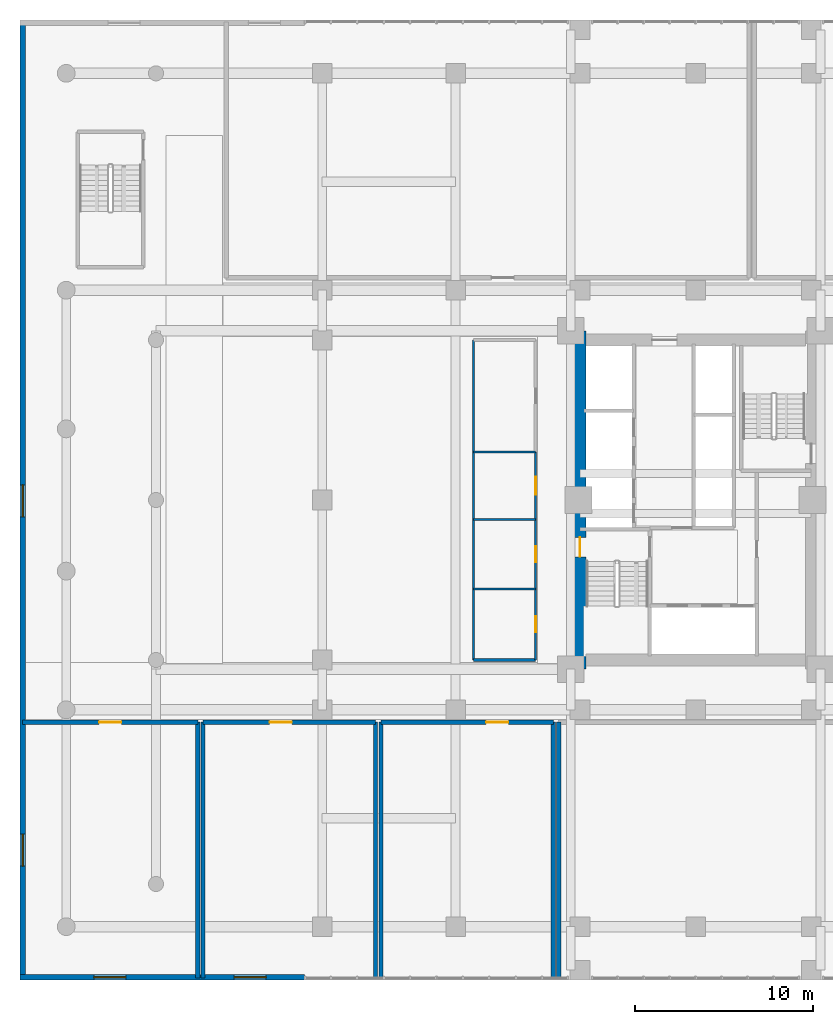
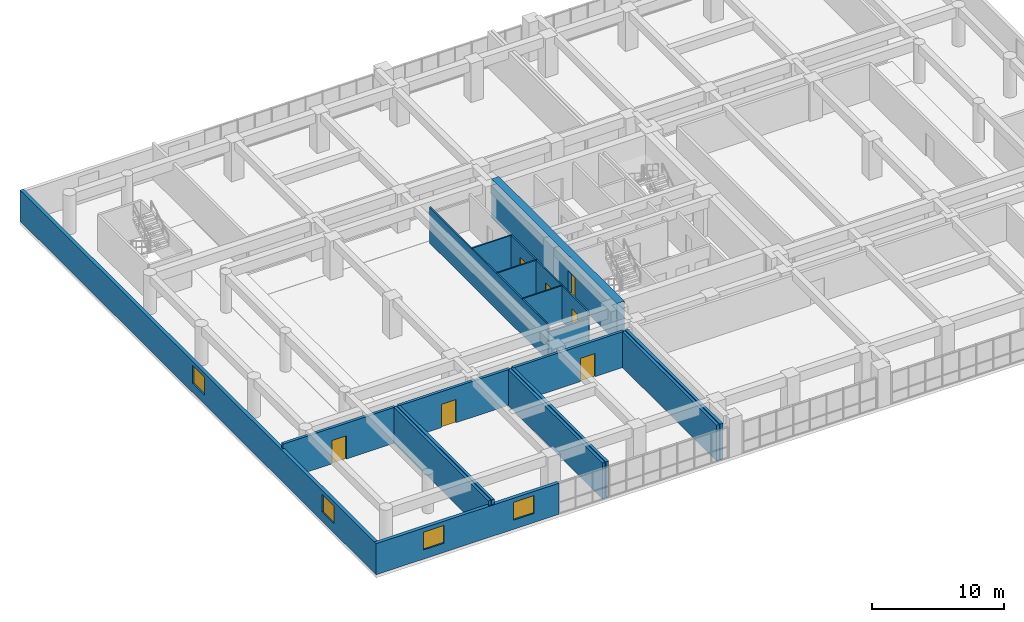
# One storey, part 18 of 30: 20 walls, 7 doors, 4 windows, 11 openings.
"""IFC4 building model written with IfcOpenShell, lengths in metres."""

from ifc_helpers import new_model, si_unit, direction, frame, frame_2d, origin, place, context, subcontext, project, spatial, rectangle, extrude, source, transform, mapped, material, layer, layer_set, type_object, element, fill, save


model = new_model("IFC4")

# Units and contexts
model_context = context("Model", 3, precision=1e-05, world=origin(), true_north=direction((0.0, 1.0)))
body_context = subcontext(model_context, "Body", "Model", "MODEL_VIEW")
ifc_project = project(units=[si_unit("LENGTHUNIT", "METRE"), si_unit("AREAUNIT", "SQUARE_METRE"), si_unit("VOLUMEUNIT", "CUBIC_METRE"), si_unit("PLANEANGLEUNIT", "RADIAN"), si_unit("MASSUNIT", "GRAM", prefix="KILO")], contexts=[model_context])

# Site, building, storey
site_placement = place(None, origin())
site = spatial("IfcSite", under=ifc_project, at=site_placement, CompositionType="ELEMENT")
building_placement = place(site_placement, origin())
building = spatial("IfcBuilding", under=site, at=building_placement, Name="Saelheon Loggia Tower", CompositionType="ELEMENT")
storey_placement = place(building_placement, frame((0.0, 0.0, 7.800048828125)))
storey = spatial("IfcBuildingStorey", under=building, at=storey_placement, Name="L02", CompositionType="ELEMENT", Elevation=7.800048828125)

# Wall, opening, door
ifc_material_1 = material(Name="Shielded High-Density Gypsum Partition", Category="gypsum")
ifc_layer_1 = layer(ifc_material_1, 0.239990234375)
ifc_layer_set_1 = layer_set([ifc_layer_1], Name="Shielded High-Density Gypsum Partition")
wall_type_1 = type_object("IfcWallType", Name="Wall_ClinicLead_240", PredefinedType="PARTITIONING", material=ifc_layer_set_1)
wall_1_placement = place(storey_placement, frame((0.14990234375, 14.5, 0.0), z_axis=(0.0, 0.0, 1.0), x_axis=(1.0, 0.0, 0.0)))
wall_1 = element("IfcWall", 1, at=wall_1_placement, inside=storey, type_object=wall_type_1, Name="PW-L02-XRAY-N", PredefinedType="PARTITIONING", context=body_context, shape_type="SweptSolid", body=[
    extrude(rectangle(XDim=9.85009765625, YDim=0.239990234375, at=frame_2d((4.925048828125, 0.0))), origin(), (0.0, 0.0, 1.0), 3.320068359375),
])
opening_1_placement = place(wall_1_placement, frame((4.300048828125, 0.0, 0.0)))
opening_1 = element("IfcOpeningElement", 2, at=opening_1_placement, cuts=wall_1, Name="Opening D-CL1", PredefinedType="OPENING", context=body_context, shape_type="SweptSolid", body=[
    extrude(rectangle(XDim=1.25, YDim=2.14990234375, at=frame_2d((0.625, 1.074951171875))), frame((0.0, 0.132080078125, 0.0), z_axis=(0.0, -1.0, 0.0), x_axis=(1.0, 0.0, 0.0)), (0.0, 0.0, 1.0), 0.263916015625),
])
ifc_material_2 = material(Name="Antimicrobial Hospital Laminate Door", Category="timber")
door_type_1 = type_object("IfcDoorType", Name="Door_Clinic_1250", OperationType="NOTDEFINED", PredefinedType="DOOR", material=ifc_material_2)
shared_shape_1 = source(origin(), body_context, "Body", "SweptSolid", [
    extrude(rectangle(XDim=1.25, YDim=2.14990234375, at=frame_2d((0.625, 1.074951171875))), frame((0.0, 0.02490234375, 0.0), z_axis=(0.0, -1.0, 0.0), x_axis=(1.0, 0.0, 0.0)), (0.0, 0.0, 1.0), 0.050048828125),
])
door_1_placement = place(opening_1_placement, origin())
door_1 = element("IfcDoor", 3, at=door_1_placement, inside=storey, type_object=door_type_1, Name="L02 Digital Radiography Suite Door", OperationType="SINGLE_SWING_LEFT", OverallHeight=2.14990234375, OverallWidth=1.25, PredefinedType="DOOR", context=body_context, shape_type="MappedRepresentation", body=[
    mapped(shared_shape_1, transform((0.0, 0.0, 0.0), scale=1.0)),
])
fill(opening_1, door_1)

# Wall
wall_2_placement = place(storey_placement, frame((10.0, 0.10009765625, 0.0), z_axis=(0.0, 0.0, 1.0), x_axis=(0.0, 1.0, 0.0)))
element("IfcWall", 4, at=wall_2_placement, inside=storey, type_object=wall_type_1, Name="PW-L02-XRAY-E", PredefinedType="PARTITIONING", context=body_context, shape_type="SweptSolid", body=[
    extrude(rectangle(XDim=14.39990234375, YDim=0.239990234375, at=frame_2d((7.199951171875, 0.0))), origin(), (0.0, 0.0, 1.0), 3.320068359375),
])

# Wall, opening, door
wall_3_placement = place(storey_placement, frame((10.300048828125, 14.5, 0.0), z_axis=(0.0, 0.0, 1.0), x_axis=(1.0, 0.0, 0.0)))
wall_3 = element("IfcWall", 5, at=wall_3_placement, inside=storey, type_object=wall_type_1, Name="PW-L02-CTMRI-N", PredefinedType="PARTITIONING", context=body_context, shape_type="SweptSolid", body=[
    extrude(rectangle(XDim=9.699951171875, YDim=0.239990234375, at=frame_2d((4.85009765625, 0.0))), origin(), (0.0, 0.0, 1.0), 3.320068359375),
])
opening_2_placement = place(wall_3_placement, frame((3.740478515625, 0.0, 0.0)))
opening_2 = element("IfcOpeningElement", 6, at=opening_2_placement, cuts=wall_3, Name="Opening D-CL1", PredefinedType="OPENING", context=body_context, shape_type="SweptSolid", body=[
    extrude(rectangle(XDim=1.25, YDim=2.14990234375, at=frame_2d((0.625, 1.074951171875))), frame((0.0, 0.132080078125, 0.0), z_axis=(0.0, -1.0, 0.0), x_axis=(1.0, 0.0, 0.0)), (0.0, 0.0, 1.0), 0.263916015625),
])
door_2_placement = place(opening_2_placement, origin())
door_2 = element("IfcDoor", 7, at=door_2_placement, inside=storey, type_object=door_type_1, Name="L02 Diagnostic Ultrasound Suite Door", OperationType="SINGLE_SWING_RIGHT", OverallHeight=2.14990234375, OverallWidth=1.25, PredefinedType="DOOR", context=body_context, shape_type="MappedRepresentation", body=[
    mapped(shared_shape_1, transform((0.0, 0.0, 0.0), scale=1.0)),
])
fill(opening_2, door_2)

# Walls
for number, where, z_axis, x_axis, name in (
    (8, (10.300048828125, 0.10009765625, 0.0), (0.0, 0.0, 1.0), (0.0, 1.0, 0.0), "PW-L02-CTMRI-W"),
    (9, (20.0, 0.10009765625, 0.0), (0.0, 0.0, 1.0), (0.0, 1.0, 0.0), "PW-L02-CTMRI-E"),
):
    element("IfcWall", number, at=place(storey_placement, frame(where, z_axis=z_axis, x_axis=x_axis)), inside=storey, type_object=wall_type_1, Name=name, PredefinedType="PARTITIONING", context=body_context, shape_type="SweptSolid", body=[
        extrude(rectangle(XDim=14.39990234375, YDim=0.239990234375, at=frame_2d((7.199951171875, 0.0))), origin(), (0.0, 0.0, 1.0), 3.320068359375),
    ])

# Wall, opening, door
wall_4_placement = place(storey_placement, frame((20.300048828125, 14.5, 0.0), z_axis=(0.0, 0.0, 1.0), x_axis=(1.0, 0.0, 0.0)))
wall_4 = element("IfcWall", 10, at=wall_4_placement, inside=storey, type_object=wall_type_1, Name="PW-L02-CTRL2A-N", PredefinedType="PARTITIONING", context=body_context, shape_type="SweptSolid", body=[
    extrude(rectangle(XDim=9.699951171875, YDim=0.239990234375, at=frame_2d((4.85009765625, 0.0))), origin(), (0.0, 0.0, 1.0), 3.320068359375),
])
opening_3_placement = place(wall_4_placement, frame((5.92041015625, 0.0, 0.0)))
opening_3 = element("IfcOpeningElement", 11, at=opening_3_placement, cuts=wall_4, Name="Opening D-CL1", PredefinedType="OPENING", context=body_context, shape_type="SweptSolid", body=[
    extrude(rectangle(XDim=1.25, YDim=2.14990234375, at=frame_2d((0.625, 1.074951171875))), frame((0.0, 0.132080078125, 0.0), z_axis=(0.0, -1.0, 0.0), x_axis=(1.0, 0.0, 0.0)), (0.0, 0.0, 1.0), 0.263916015625),
])
door_3_placement = place(opening_3_placement, origin())
door_3 = element("IfcDoor", 12, at=door_3_placement, inside=storey, type_object=door_type_1, Name="L02 Imaging Reporting Office A Door", OperationType="SINGLE_SWING_LEFT", OverallHeight=2.14990234375, OverallWidth=1.25, PredefinedType="DOOR", context=body_context, shape_type="MappedRepresentation", body=[
    mapped(shared_shape_1, transform((0.0, 0.0, 0.0), scale=1.0)),
])
fill(opening_3, door_3)

# Walls
for number, where, z_axis, x_axis, name in (
    (13, (20.300048828125, 0.10009765625, 0.0), (0.0, 0.0, 1.0), (0.0, 1.0, 0.0), "PW-L02-CTRL2A-W"),
    (14, (30.0, 0.10009765625, 0.0), (0.0, 0.0, 1.0), (0.0, 1.0, 0.0), "PW-L02-CTRL2A-E"),
    (15, (30.300048828125, 0.10009765625, 0.0), (0.0, 0.0, 1.0), (0.0, 1.0, 0.0), "PW-L02-CTRL2B-W"),
):
    element("IfcWall", number, at=place(storey_placement, frame(where, z_axis=z_axis, x_axis=x_axis)), inside=storey, type_object=wall_type_1, Name=name, PredefinedType="PARTITIONING", context=body_context, shape_type="SweptSolid", body=[
        extrude(rectangle(XDim=14.39990234375, YDim=0.239990234375, at=frame_2d((7.199951171875, 0.0))), origin(), (0.0, 0.0, 1.0), 3.320068359375),
    ])

# Wall, opening, door
ifc_material_3 = material(Name="Concrete C60/75", Category="concrete")
ifc_layer_2 = layer(ifc_material_3, 0.64990234375)
ifc_layer_set_2 = layer_set([ifc_layer_2], Name="Concrete C60/75")
wall_type_2 = type_object("IfcWallType", Name="Wall_CoreShear_650", PredefinedType="SHEAR", material=ifc_layer_set_2)
wall_5_placement = place(storey_placement, frame((31.5, 17.47998046875, 0.0), z_axis=(0.0, 0.0, 1.0), x_axis=(0.0, 1.0, 0.0)))
wall_5 = element("IfcWall", 16, at=wall_5_placement, inside=storey, type_object=wall_type_2, Name="L02 Core Shear Wall West", PredefinedType="SHEAR", context=body_context, shape_type="SweptSolid", body=[
    extrude(rectangle(XDim=19.0400390625, YDim=0.64990234375, at=frame_2d((9.52001953125, 0.0))), origin(), (0.0, 0.0, 1.0), 3.599853515625),
])
opening_4_placement = place(wall_5_placement, frame((6.320068359375, 0.0, 0.0)))
opening_4 = element("IfcOpeningElement", 17, at=opening_4_placement, cuts=wall_5, Name="Opening D-FD2", PredefinedType="OPENING", context=body_context, shape_type="SweptSolid", body=[
    extrude(rectangle(XDim=1.10009765625, YDim=2.14990234375, at=frame_2d((0.550048828125, 1.074951171875))), frame((0.0, 0.3369140625, 0.0), z_axis=(0.0, -1.0, 0.0), x_axis=(1.0, 0.0, 0.0)), (0.0, 0.0, 1.0), 0.673828125),
])
ifc_material_4 = material(Name="Galvanised Steel Fire Door", Category="steel")
door_type_2 = type_object("IfcDoorType", Name="Door_Fire_FD60_1100", OperationType="NOTDEFINED", PredefinedType="DOOR", material=ifc_material_4)
shared_shape_2 = source(origin(), body_context, "Body", "SweptSolid", [
    extrude(rectangle(XDim=1.10009765625, YDim=2.14990234375, at=frame_2d((0.550048828125, 1.074951171875))), frame((0.0, 0.02490234375, 0.0), z_axis=(0.0, -1.0, 0.0), x_axis=(1.0, 0.0, 0.0)), (0.0, 0.0, 1.0), 0.050048828125),
])
door_4_placement = place(opening_4_placement, origin())
door_4 = element("IfcDoor", 18, at=door_4_placement, inside=storey, type_object=door_type_2, Name="L02 Stair ST1 Corridor Door", OperationType="SINGLE_SWING_LEFT", OverallHeight=2.14990234375, OverallWidth=1.10009765625, PredefinedType="DOOR", context=body_context, shape_type="MappedRepresentation", body=[
    mapped(shared_shape_2, transform((0.0, 0.0, 0.0), scale=1.0)),
])
fill(opening_4, door_4)

# Wall, openings, windows
ifc_material_5 = material(Name="Architectural Precast Concrete C40/50", Category="concrete")
ifc_layer_3 = layer(ifc_material_5, 0.300048828125)
ifc_layer_set_3 = layer_set([ifc_layer_3], Name="Architectural Precast Concrete C40/50")
wall_type_3 = type_object("IfcWallType", Name="Wall_Ext_Podium_300", PredefinedType="SOLIDWALL", material=ifc_layer_set_3)
wall_6_placement = place(storey_placement, frame((0.0, 0.14990234375, 0.0), z_axis=(0.0, 0.0, 1.0), x_axis=(1.0, 0.0, 0.0)))
wall_6 = element("IfcWall", 19, at=wall_6_placement, inside=storey, type_object=wall_type_3, Name="L02 South-West Precast Wall", PredefinedType="SOLIDWALL", context=body_context, shape_type="SweptSolid", body=[
    extrude(rectangle(XDim=16.0, YDim=0.300048828125, at=frame_2d((8.0, 0.0))), origin(), (0.0, 0.0, 1.0), 2.8798828125),
])
opening_5_placement = place(wall_6_placement, frame((4.155029296875, 0.0, 0.85009765625)))
opening_5 = element("IfcOpeningElement", 20, at=opening_5_placement, cuts=wall_6, Name="Opening WN-01", PredefinedType="OPENING", context=body_context, shape_type="SweptSolid", body=[
    extrude(rectangle(XDim=1.800048828125, YDim=1.64990234375, at=frame_2d((0.89990234375, 0.824951171875))), frame((0.0, 0.162109375, 0.0), z_axis=(0.0, -1.0, 0.0), x_axis=(1.0, 0.0, 0.0)), (0.0, 0.0, 1.0), 0.323974609375),
])
opening_6_placement = place(wall_6_placement, frame((12.044921875, 0.0, 0.85009765625)))
opening_6 = element("IfcOpeningElement", 21, at=opening_6_placement, cuts=wall_6, Name="Opening WN-01", PredefinedType="OPENING", context=body_context, shape_type="SweptSolid", body=[
    extrude(rectangle(XDim=1.800048828125, YDim=1.64990234375, at=frame_2d((0.89990234375, 0.824951171875))), frame((0.0, 0.162109375, 0.0), z_axis=(0.0, -1.0, 0.0), x_axis=(1.0, 0.0, 0.0)), (0.0, 0.0, 1.0), 0.323974609375),
])
ifc_material_6 = material(Name="Thermal-Break Aluminium and Triple Low-E Glass", Category="aluminium")
window_type = type_object("IfcWindowType", Name="Win_Dwelling_1800x1650", PartitioningType="SINGLE_PANEL", PredefinedType="WINDOW", material=ifc_material_6)
shared_shape_3 = source(origin(), body_context, "Body", "SweptSolid", [
    extrude(rectangle(XDim=1.800048828125, YDim=1.64990234375, at=frame_2d((0.89990234375, 0.824951171875))), frame((0.0, 0.030029296875, 0.0), z_axis=(0.0, -1.0, 0.0), x_axis=(1.0, 0.0, 0.0)), (0.0, 0.0, 1.0), 0.06005859375),
])
window_1_placement = place(opening_5_placement, origin())
window_1 = element("IfcWindow", 22, at=window_1_placement, inside=storey, type_object=window_type, Name="L02 SW Dwelling Window 1", OverallHeight=1.64990234375, OverallWidth=1.800048828125, PartitioningType="SINGLE_PANEL", PredefinedType="WINDOW", context=body_context, shape_type="MappedRepresentation", body=[
    mapped(shared_shape_3, transform((0.0, 0.0, 0.0), scale=1.0)),
])
fill(opening_5, window_1)
window_2_placement = place(opening_6_placement, origin())
window_2 = element("IfcWindow", 23, at=window_2_placement, inside=storey, type_object=window_type, Name="L02 SW Dwelling Window 2", OverallHeight=1.64990234375, OverallWidth=1.800048828125, PartitioningType="SINGLE_PANEL", PredefinedType="WINDOW", context=body_context, shape_type="MappedRepresentation", body=[
    mapped(shared_shape_3, transform((0.0, 0.0, 0.0), scale=1.0)),
])
fill(opening_6, window_2)

wall_7_placement = place(storey_placement, frame((0.14990234375, 0.0, 0.0), z_axis=(0.0, 0.0, 1.0), x_axis=(0.0, 1.0, 0.0)))
wall_7 = element("IfcWall", 24, at=wall_7_placement, inside=storey, type_object=wall_type_3, Name="L02 West Precast Wall", PredefinedType="SOLIDWALL", context=body_context, shape_type="SweptSolid", body=[
    extrude(rectangle(XDim=54.0, YDim=0.300048828125, at=frame_2d((27.0, 0.0))), origin(), (0.0, 0.0, 1.0), 2.8798828125),
])
opening_7_placement = place(wall_7_placement, frame((6.405029296875, 0.0, 0.85009765625)))
opening_7 = element("IfcOpeningElement", 25, at=opening_7_placement, cuts=wall_7, Name="Opening WN-01", PredefinedType="OPENING", context=body_context, shape_type="SweptSolid", body=[
    extrude(rectangle(XDim=1.800048828125, YDim=1.64990234375, at=frame_2d((0.89990234375, 0.824951171875))), frame((0.0, 0.162109375, 0.0), z_axis=(0.0, -1.0, 0.0), x_axis=(1.0, 0.0, 0.0)), (0.0, 0.0, 1.0), 0.323974609375),
])
opening_8_placement = place(wall_7_placement, frame((26.044921875, 0.0, 0.85009765625)))
opening_8 = element("IfcOpeningElement", 26, at=opening_8_placement, cuts=wall_7, Name="Opening WN-01", PredefinedType="OPENING", context=body_context, shape_type="SweptSolid", body=[
    extrude(rectangle(XDim=1.800048828125, YDim=1.64990234375, at=frame_2d((0.89990234375, 0.824951171875))), frame((0.0, 0.162109375, 0.0), z_axis=(0.0, -1.0, 0.0), x_axis=(1.0, 0.0, 0.0)), (0.0, 0.0, 1.0), 0.323974609375),
])
window_3_placement = place(opening_7_placement, origin())
window_3 = element("IfcWindow", 27, at=window_3_placement, inside=storey, type_object=window_type, Name="L02 W Dwelling Window 1", OverallHeight=1.64990234375, OverallWidth=1.800048828125, PartitioningType="SINGLE_PANEL", PredefinedType="WINDOW", context=body_context, shape_type="MappedRepresentation", body=[
    mapped(shared_shape_3, transform((0.0, 0.0, 0.0), scale=1.0)),
])
fill(opening_7, window_3)
window_4_placement = place(opening_8_placement, origin())
window_4 = element("IfcWindow", 28, at=window_4_placement, inside=storey, type_object=window_type, Name="L02 W Dwelling Window 2", OverallHeight=1.64990234375, OverallWidth=1.800048828125, PartitioningType="SINGLE_PANEL", PredefinedType="WINDOW", context=body_context, shape_type="MappedRepresentation", body=[
    mapped(shared_shape_3, transform((0.0, 0.0, 0.0), scale=1.0)),
])
fill(opening_8, window_4)

# Walls
ifc_material_7 = material(Name="Lightweight Autoclaved Aerated Concrete Block and Acoustic Gypsum", Category="concrete")
ifc_layer_4 = layer(ifc_material_7, 0.14990234375)
ifc_layer_set_4 = layer_set([ifc_layer_4], Name="Lightweight Autoclaved Aerated Concrete Block and Acoustic Gypsum")
wall_type_4 = type_object("IfcWallType", Name="Wall_Part_150", PredefinedType="PARTITIONING", material=ifc_layer_set_4)
wall_8_placement = place(storey_placement, frame((25.5, 18.0, 0.0), z_axis=(0.0, 0.0, 1.0), x_axis=(1.0, 0.0, 0.0)))
element("IfcWall", 29, at=wall_8_placement, inside=storey, type_object=wall_type_4, Name="PW-L02-WCS-S", PredefinedType="PARTITIONING", context=body_context, shape_type="SweptSolid", body=[
    extrude(rectangle(XDim=3.5, YDim=0.14990234375, at=frame_2d((1.75, 0.0))), origin(), (0.0, 0.0, 1.0), 2.68994140625),
])
ifc_material_8 = material(Name="Moisture-Resistant Cement Board Partition", Category="gypsum")
ifc_layer_5 = layer(ifc_material_8, 0.1201171875)
ifc_layer_set_5 = layer_set([ifc_layer_5], Name="Moisture-Resistant Cement Board Partition")
wall_type_5 = type_object("IfcWallType", Name="Wall_WetPart_120", PredefinedType="PARTITIONING", material=ifc_layer_set_5)
wall_9_placement = place(storey_placement, frame((25.5, 18.0, 0.0), z_axis=(0.0, 0.0, 1.0), x_axis=(0.0, 1.0, 0.0)))
element("IfcWall", 30, at=wall_9_placement, inside=storey, type_object=wall_type_5, Name="PW-L02-WCS-W", PredefinedType="PARTITIONING", context=body_context, shape_type="SweptSolid", body=[
    extrude(rectangle(XDim=18.0, YDim=0.1201171875, at=frame_2d((9.0, 0.0))), origin(), (0.0, 0.0, 1.0), 3.320068359375),
])

# Wall, opening, door
wall_10_placement = place(storey_placement, frame((29.0, 18.0, 0.0), z_axis=(0.0, 0.0, 1.0), x_axis=(0.0, 1.0, 0.0)))
wall_10 = element("IfcWall", 31, at=wall_10_placement, inside=storey, type_object=wall_type_5, Name="PW-L02-WCS-E1", PredefinedType="PARTITIONING", context=body_context, shape_type="SweptSolid", body=[
    extrude(rectangle(XDim=4.0, YDim=0.1201171875, at=frame_2d((2.0, 0.0))), origin(), (0.0, 0.0, 1.0), 3.320068359375),
])
opening_9_placement = place(wall_10_placement, frame((1.550048828125, 0.0, 0.0)))
opening_9 = element("IfcOpeningElement", 32, at=opening_9_placement, cuts=wall_10, Name="Opening D-IN2", PredefinedType="OPENING", context=body_context, shape_type="SweptSolid", body=[
    extrude(rectangle(XDim=0.89990234375, YDim=2.10009765625, at=frame_2d((0.449951171875, 1.050048828125))), frame((0.0, 0.072021484375, 0.0), z_axis=(0.0, -1.0, 0.0), x_axis=(1.0, 0.0, 0.0)), (0.0, 0.0, 1.0), 0.14404296875),
])
ifc_material_9 = material(Name="Engineered Oak Flush Door", Category="timber")
door_type_3 = type_object("IfcDoorType", Name="Door_Int_900", OperationType="NOTDEFINED", PredefinedType="DOOR", material=ifc_material_9)
shared_shape_4 = source(origin(), body_context, "Body", "SweptSolid", [
    extrude(rectangle(XDim=0.89990234375, YDim=2.10009765625, at=frame_2d((0.449951171875, 1.050048828125))), frame((0.0, 0.02490234375, 0.0), z_axis=(0.0, -1.0, 0.0), x_axis=(1.0, 0.0, 0.0)), (0.0, 0.0, 1.0), 0.050048828125),
])
door_5_placement = place(opening_9_placement, origin())
door_5 = element("IfcDoor", 33, at=door_5_placement, inside=storey, type_object=door_type_3, Name="L02 Male WC Door", OperationType="SINGLE_SWING_LEFT", OverallHeight=2.10009765625, OverallWidth=0.89990234375, PredefinedType="DOOR", context=body_context, shape_type="MappedRepresentation", body=[
    mapped(shared_shape_4, transform((0.0, 0.0, 0.0), scale=1.0)),
])
fill(opening_9, door_5)

wall_11_placement = place(storey_placement, frame((29.0, 22.0, 0.0), z_axis=(0.0, 0.0, 1.0), x_axis=(0.0, 1.0, 0.0)))
wall_11 = element("IfcWall", 34, at=wall_11_placement, inside=storey, type_object=wall_type_5, Name="PW-L02-WCS-E2", PredefinedType="PARTITIONING", context=body_context, shape_type="SweptSolid", body=[
    extrude(rectangle(XDim=3.89990234375, YDim=0.1201171875, at=frame_2d((1.949951171875, 0.0))), origin(), (0.0, 0.0, 1.0), 3.320068359375),
])
opening_10_placement = place(wall_11_placement, frame((1.5, 0.0, 0.0)))
opening_10 = element("IfcOpeningElement", 35, at=opening_10_placement, cuts=wall_11, Name="Opening D-IN2", PredefinedType="OPENING", context=body_context, shape_type="SweptSolid", body=[
    extrude(rectangle(XDim=0.89990234375, YDim=2.10009765625, at=frame_2d((0.449951171875, 1.050048828125))), frame((0.0, 0.072021484375, 0.0), z_axis=(0.0, -1.0, 0.0), x_axis=(1.0, 0.0, 0.0)), (0.0, 0.0, 1.0), 0.14404296875),
])
door_6_placement = place(opening_10_placement, origin())
door_6 = element("IfcDoor", 36, at=door_6_placement, inside=storey, type_object=door_type_3, Name="L02 Female WC Door", OperationType="SINGLE_SWING_RIGHT", OverallHeight=2.10009765625, OverallWidth=0.89990234375, PredefinedType="DOOR", context=body_context, shape_type="MappedRepresentation", body=[
    mapped(shared_shape_4, transform((0.0, 0.0, 0.0), scale=1.0)),
])
fill(opening_10, door_6)

wall_12_placement = place(storey_placement, frame((29.0, 25.89990234375, 0.0), z_axis=(0.0, 0.0, 1.0), x_axis=(0.0, 1.0, 0.0)))
wall_12 = element("IfcWall", 37, at=wall_12_placement, inside=storey, type_object=wall_type_5, Name="PW-L02-WCS-E3", PredefinedType="PARTITIONING", context=body_context, shape_type="SweptSolid", body=[
    extrude(rectangle(XDim=3.800048828125, YDim=0.1201171875, at=frame_2d((1.89990234375, 0.0))), origin(), (0.0, 0.0, 1.0), 3.320068359375),
])
opening_11_placement = place(wall_12_placement, frame((1.39990234375, 0.0, 0.0)))
opening_11 = element("IfcOpeningElement", 38, at=opening_11_placement, cuts=wall_12, Name="Opening D-AC1", PredefinedType="OPENING", context=body_context, shape_type="SweptSolid", body=[
    extrude(rectangle(XDim=1.0, YDim=2.10009765625, at=frame_2d((0.5, 1.050048828125))), frame((0.0, 0.072021484375, 0.0), z_axis=(0.0, -1.0, 0.0), x_axis=(1.0, 0.0, 0.0)), (0.0, 0.0, 1.0), 0.14404296875),
])
ifc_material_10 = material(Name="Accessible Laminate Flush Door", Category="timber")
door_type_4 = type_object("IfcDoorType", Name="Door_Acc_1000", OperationType="NOTDEFINED", PredefinedType="DOOR", material=ifc_material_10)
shared_shape_5 = source(origin(), body_context, "Body", "SweptSolid", [
    extrude(rectangle(XDim=1.0, YDim=2.10009765625, at=frame_2d((0.5, 1.050048828125))), frame((0.0, 0.02490234375, 0.0), z_axis=(0.0, -1.0, 0.0), x_axis=(1.0, 0.0, 0.0)), (0.0, 0.0, 1.0), 0.050048828125),
])
door_7_placement = place(opening_11_placement, origin())
door_7 = element("IfcDoor", 39, at=door_7_placement, inside=storey, type_object=door_type_4, Name="L02 Accessible WC Door", OperationType="SINGLE_SWING_LEFT", OverallHeight=2.10009765625, OverallWidth=1.0, PredefinedType="DOOR", context=body_context, shape_type="MappedRepresentation", body=[
    mapped(shared_shape_5, transform((0.0, 0.0, 0.0), scale=1.0)),
])
fill(opening_11, door_7)

# Walls
for number, where, z_axis, x_axis, name in (
    (40, (25.5, 22.0, 0.0), (0.0, 0.0, 1.0), (1.0, 0.0, 0.0), "PW-L02-WCS-D1"),
    (41, (25.5, 25.89990234375, 0.0), (0.0, 0.0, 1.0), (1.0, 0.0, 0.0), "PW-L02-WCS-D2"),
    (42, (25.5, 29.699951171875, 0.0), (0.0, 0.0, 1.0), (1.0, 0.0, 0.0), "PW-L02-WCS-D3"),
):
    element("IfcWall", number, at=place(storey_placement, frame(where, z_axis=z_axis, x_axis=x_axis)), inside=storey, type_object=wall_type_5, Name=name, PredefinedType="PARTITIONING", context=body_context, shape_type="SweptSolid", body=[
        extrude(rectangle(XDim=3.5, YDim=0.1201171875, at=frame_2d((1.75, 0.0))), origin(), (0.0, 0.0, 1.0), 3.320068359375),
    ])

save(model, "model.ifc")
